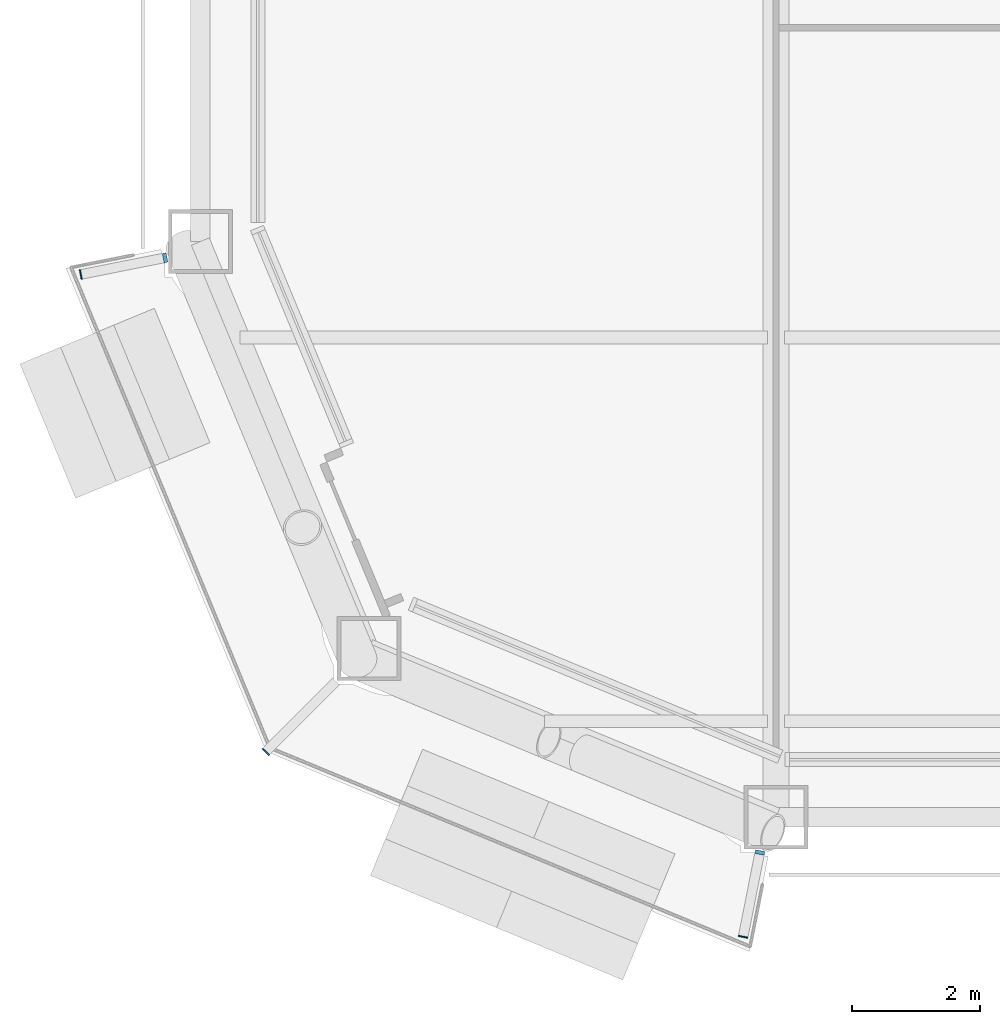
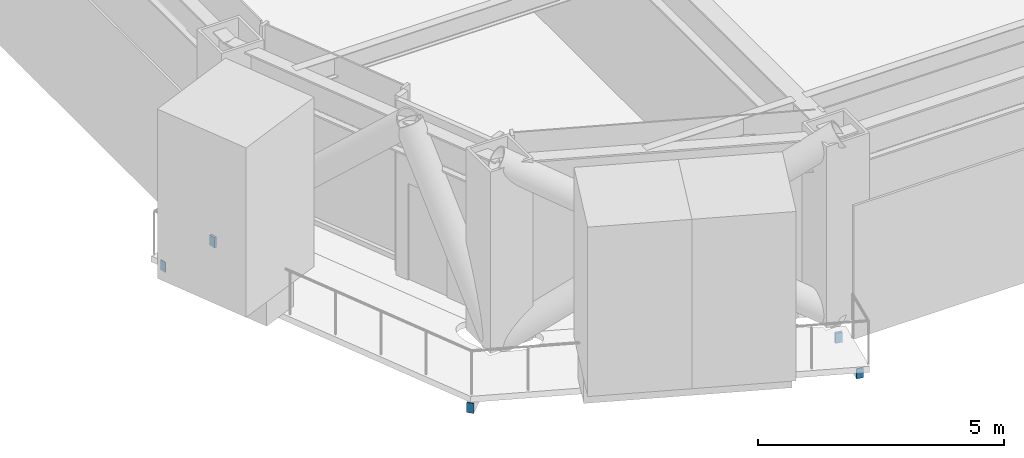
# One storey, part 18 of 27: 5 discrete accessories.
"""IFC4 building model written with IfcOpenShell, lengths in metres."""

from ifc_helpers import new_model, si_unit, direction, frame, origin, origin_2d, place, context, subcontext, project, spatial, rectangle, extrude, material, layer, layer_set, type_object, element, save


model = new_model("IFC4")

# Units and contexts
model_context = context("Model", 3, precision=1e-05, world=origin(), true_north=direction((0.0, 1.0)))
body_context = subcontext(model_context, "Body", "Model", "MODEL_VIEW")
ifc_project = project(units=[si_unit("LENGTHUNIT", "METRE"), si_unit("AREAUNIT", "SQUARE_METRE"), si_unit("VOLUMEUNIT", "CUBIC_METRE"), si_unit("PLANEANGLEUNIT", "RADIAN"), si_unit("MASSUNIT", "GRAM", prefix="KILO")], contexts=[model_context])

# Site, building, storey
site_placement = place(None, origin())
site = spatial("IfcSite", under=ifc_project, at=site_placement, CompositionType="ELEMENT")
building_placement = place(site_placement, origin())
building = spatial("IfcBuilding", under=site, at=building_placement, Name="Siwar Civic Tower", CompositionType="ELEMENT")
storey_placement = place(building_placement, frame((0.0, 0.0, 53.699951171875)))
storey = spatial("IfcBuildingStorey", under=building, at=storey_placement, Name="L11", CompositionType="ELEMENT", Elevation=53.699951171875)

# Discrete accessories
ifc_material_1 = material(Name="Stainless steel 316", Category="steel")
discrete_accessory_type_1 = type_object("IfcDiscreteAccessoryType", Name="ENV-BRACKET", PredefinedType="BRACKET", material=ifc_material_1)
for number, where, z_axis, x_axis, name in (
    (1, (-32.050048828125, -22.752197265625, -0.39990234375), (0.0, 0.0, 1.0), (-0.980785280403, -0.195090322016, 0.0), "Bracket balcony cantilever beam SW 1"),
    (2, (-22.752197265625, -32.050048828125, -0.39990234375), (0.0, 0.0, 1.0), (-0.195090322016, -0.980785280403, 0.0), "Bracket balcony cantilever beam SW 3"),
):
    element("IfcDiscreteAccessory", number, at=place(storey_placement, frame(where, z_axis=z_axis, x_axis=x_axis)), inside=storey, type_object=discrete_accessory_type_1, Name=name, PredefinedType="BRACKET", context=body_context, shape_type="SweptSolid", body=[
        extrude(rectangle(XDim=0.06005859375, YDim=0.14990234375, at=origin_2d()), origin(), (0.0, 0.0, 1.0), 0.25),
    ])
ifc_material_2 = material(Name="Steel S355", Category="steel")
ifc_layer = layer(ifc_material_2, 0.02001953125)
ifc_layer_set = layer_set([ifc_layer], Name="Steel S355")
discrete_accessory_type_2 = type_object("IfcDiscreteAccessoryType", Name="STR-END-CAP", PredefinedType="USERDEFINED", material=ifc_layer_set)
for number, where, z_axis, x_axis, name in (
    (3, (-33.36865234375, -23.014404296875, -0.39990234375), (0.0, 0.0, 1.0), (-0.980785280277, -0.195090322649, 0.0), "End cap plate Balcony cantilever beam SW 1"),
    (4, (-30.478271484375, -30.478271484375, -0.39990234375), (0.0, 0.0, 1.0), (-0.707106781187, -0.707106781187, 0.0), "End cap plate Balcony cantilever beam SW 2"),
    (5, (-23.014404296875, -33.36865234375, -0.39990234375), (0.0, 0.0, 1.0), (-0.195090322649, -0.980785280277, 0.0), "End cap plate Balcony cantilever beam SW 3"),
):
    element("IfcDiscreteAccessory", number, at=place(storey_placement, frame(where, z_axis=z_axis, x_axis=x_axis)), inside=storey, type_object=discrete_accessory_type_2, Name=name, ObjectType="END CAP PLATE", PredefinedType="USERDEFINED", context=body_context, shape_type="SweptSolid", body=[
        extrude(rectangle(XDim=0.02001953125, YDim=0.14990234375, at=origin_2d()), origin(), (0.0, 0.0, 1.0), 0.25),
    ])

save(model, "model.ifc")
